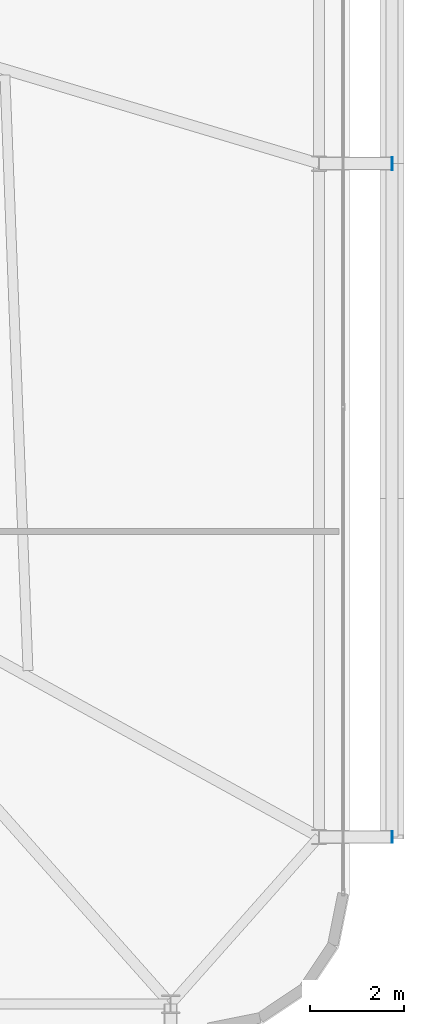
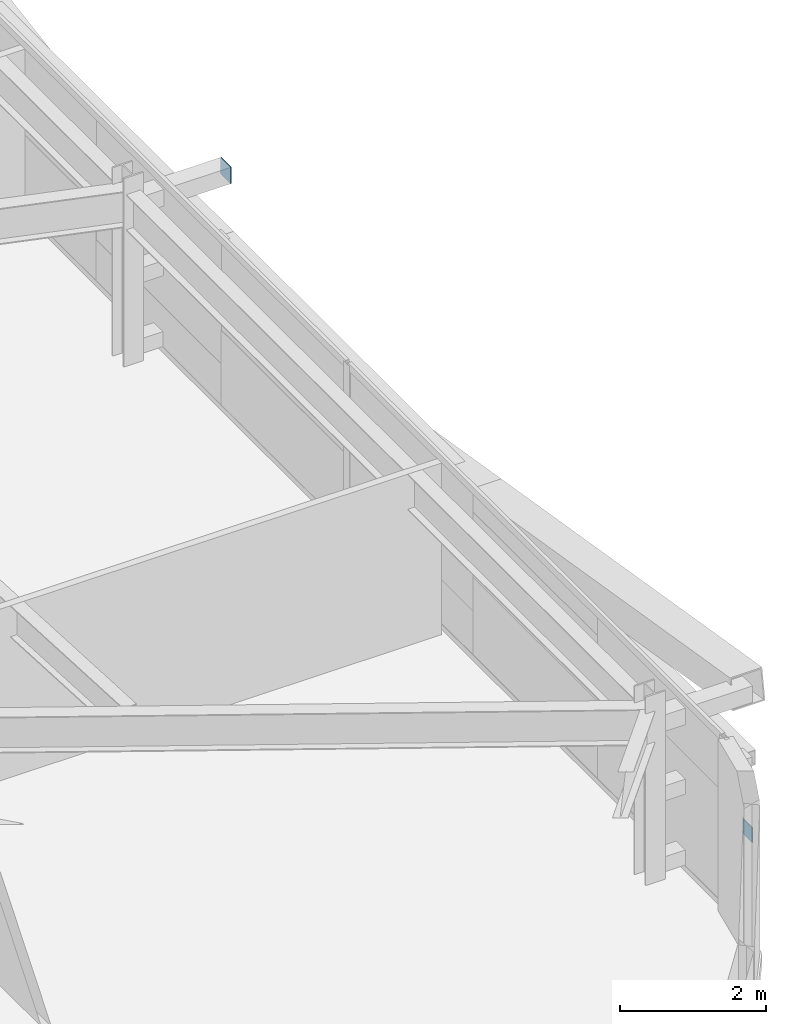
# One storey, part 35 of 45: 2 plates.
"""IFC4 building model written with IfcOpenShell, lengths in metres."""

from ifc_helpers import new_model, si_unit, direction, frame, origin, origin_2d, place, context, subcontext, project, spatial, rectangle, extrude, source, transform, mapped, material, layer, layer_set, type_object, element, save


model = new_model("IFC4")

# Units and contexts
model_context = context("Model", 3, precision=1e-05, world=origin(), true_north=direction((0.0, 1.0)))
body_context = subcontext(model_context, "Body", "Model", "MODEL_VIEW")
ifc_project = project(units=[si_unit("LENGTHUNIT", "METRE"), si_unit("AREAUNIT", "SQUARE_METRE"), si_unit("VOLUMEUNIT", "CUBIC_METRE"), si_unit("PLANEANGLEUNIT", "RADIAN"), si_unit("MASSUNIT", "GRAM", prefix="KILO")], contexts=[model_context])

# Site, building, storey
site_placement = place(None, origin())
site = spatial("IfcSite", under=ifc_project, at=site_placement, CompositionType="ELEMENT")
building_placement = place(site_placement, origin())
building = spatial("IfcBuilding", under=site, at=building_placement, Name="Taldren Reach Tower", CompositionType="ELEMENT")
storey_placement = place(building_placement, frame((0.0, 0.0, 57.75)))
storey = spatial("IfcBuildingStorey", under=building, at=storey_placement, Name="L17", CompositionType="ELEMENT", Elevation=57.75)

# Plates
ifc_material_1 = material(Name="Steel Gr 450 (C450L0)", Category="steel")
ifc_layer_1 = layer(ifc_material_1, 0.011962890625)
ifc_layer_set_1 = layer_set([ifc_layer_1], Name="Steel Gr 450 (C450L0)")
plate_type_1 = type_object("IfcPlateType", Name="PL-CAP-275", PredefinedType="SHEET", material=ifc_layer_set_1)
shared_shape_1 = source(origin(), body_context, "Body", "SweptSolid", [
    extrude(rectangle(XDim=0.011962890625, YDim=0.27490234375, at=origin_2d()), origin(), (0.0, 0.0, 1.0), 0.27490234375),
])
plate_1_placement = place(storey_placement, frame((65.906005859375, 20.0, 2.45263671875), z_axis=(0.0, 0.0, 1.0), x_axis=(1.0, 0.0, 0.0)))
element("IfcPlate", 1, at=plate_1_placement, inside=storey, type_object=plate_type_1, Name="Tie strut end cap plate B1-E2 L17", PredefinedType="SHEET", context=body_context, shape_type="MappedRepresentation", body=[
    mapped(shared_shape_1, transform((0.0, 0.0, 0.0), scale=1.0)),
])
ifc_material_2 = material(Name="Steel Gr 350 (C350L0)", Category="steel")
ifc_layer_2 = layer(ifc_material_2, 0.011962890625)
ifc_layer_set_2 = layer_set([ifc_layer_2], Name="Steel Gr 350 (C350L0)")
plate_type_2 = type_object("IfcPlateType", Name="PL-CAP-250", PredefinedType="SHEET", material=ifc_layer_set_2)
shared_shape_2 = source(origin(), body_context, "Body", "SweptSolid", [
    extrude(rectangle(XDim=0.011962890625, YDim=0.25, at=origin_2d()), origin(), (0.0, 0.0, 1.0), 0.25),
])
plate_2_placement = place(storey_placement, frame((65.906005859375, 5.699951171875, 0.094970703125), z_axis=(0.0, 0.0, 1.0), x_axis=(1.0, 0.0, 0.0)))
element("IfcPlate", 2, at=plate_2_placement, inside=storey, type_object=plate_type_2, Name="Tie strut end cap plate B1-E1 L17", PredefinedType="SHEET", context=body_context, shape_type="MappedRepresentation", body=[
    mapped(shared_shape_2, transform((0.0, 0.0, 0.0), scale=1.0)),
])

save(model, "model.ifc")
